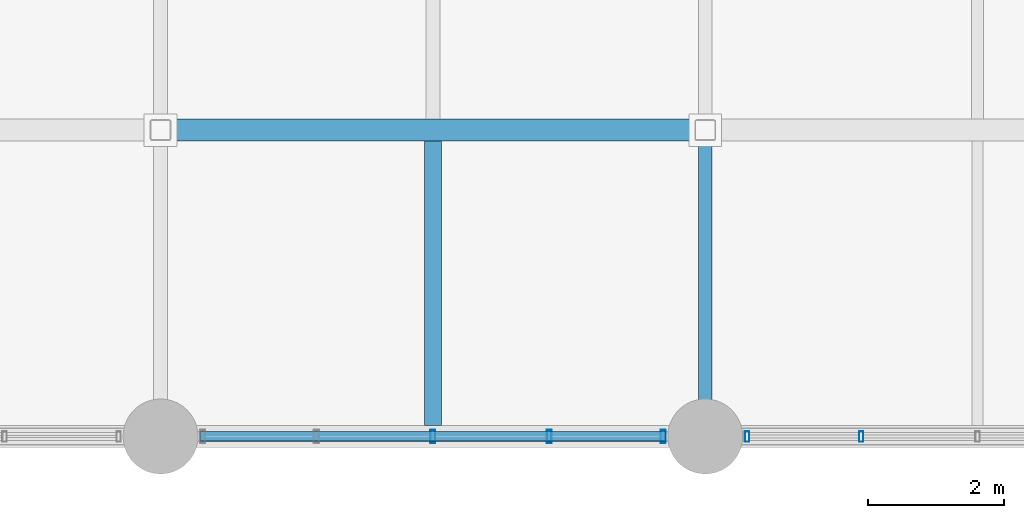
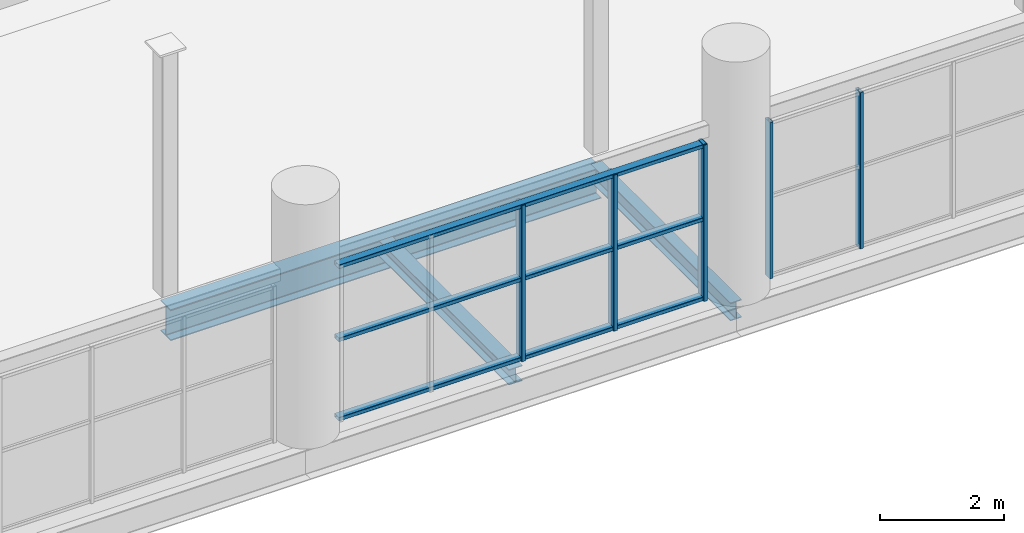
# One storey, part 17 of 114: 8 members, 3 beams, 2 elements without a shape of their own.
"""IFC4 building model written with IfcOpenShell, lengths in metres."""

from ifc_helpers import new_model, si_unit, direction, frame, origin, origin_2d, place, context, subcontext, project, spatial, hollow_rectangle, i_section, extrude, material, material_profile, profile_set, type_object, element, aggregate, save


model = new_model("IFC4")

# Units and contexts
model_context = context("Model", 3, precision=1e-05, world=origin(), true_north=direction((0.0, 1.0)))
body_context = subcontext(model_context, "Body", "Model", "MODEL_VIEW")
ifc_project = project(units=[si_unit("LENGTHUNIT", "METRE"), si_unit("AREAUNIT", "SQUARE_METRE"), si_unit("VOLUMEUNIT", "CUBIC_METRE"), si_unit("PLANEANGLEUNIT", "RADIAN"), si_unit("MASSUNIT", "GRAM", prefix="KILO")], contexts=[model_context])

# Site, building, storey
site_placement = place(None, origin())
site = spatial("IfcSite", under=ifc_project, at=site_placement, CompositionType="ELEMENT")
building_placement = place(site_placement, origin())
building = spatial("IfcBuilding", under=site, at=building_placement, Name="Verrall Gate Interchange", CompositionType="ELEMENT")
storey_placement = place(building_placement, frame((0.0, 0.0, 6.60009765625)))
storey = spatial("IfcBuildingStorey", under=building, at=storey_placement, Name="L02", CompositionType="ELEMENT", Elevation=6.60009765625)

# Beams
ifc_material_1 = material(Name="Structural Steel CSA G40.21 350WT Cat 4", Category="steel")
ifc_material_profile_1 = material_profile(ifc_material_1, i_section(OverallWidth=0.323974609375, OverallDepth=0.611083984375, WebThickness=0.0126953125, FlangeThickness=0.01904296875, FilletRadius=0.014892578125, at=origin_2d()), Name="W610x155")
ifc_profile_set_1 = profile_set([ifc_material_profile_1], Name="Structural Steel CSA G40.21 350WT Cat 4")
beam_type_1 = type_object("IfcBeamType", Name="B-08 Structural Beam W610x155", PredefinedType="BEAM", material=ifc_profile_set_1)
beam_1_placement = place(storey_placement, frame((44.0, 4.5, -0.585693359375), z_axis=(1.0, 0.0, 0.0), x_axis=(0.0, 1.0, 0.0)))
element("IfcBeam", 1, at=beam_1_placement, inside=storey, type_object=beam_type_1, Name="L02 Girder BM-L02-1458 (B-08)", PredefinedType="BEAM", context=body_context, shape_type="SweptSolid", body=[
    extrude(i_section(OverallWidth=0.323974609375, OverallDepth=0.611083984375, WebThickness=0.0126953125, FlangeThickness=0.01904296875, FilletRadius=0.014892578125, at=origin_2d()), origin(), (0.0, 0.0, 1.0), 8.0),
])
ifc_material_2 = material(Name="Structural Steel CSA G40.21 350W", Category="steel")
ifc_material_profile_2 = material_profile(ifc_material_2, i_section(OverallWidth=0.205078125, OverallDepth=0.35400390625, WebThickness=0.009521484375, FlangeThickness=0.016845703125, FilletRadius=0.012939453125, at=origin_2d()), Name="W360x79")
ifc_profile_set_2 = profile_set([ifc_material_profile_2], Name="Structural Steel CSA G40.21 350W")
beam_type_2 = type_object("IfcBeamType", Name="B-14 Structural Beam W360x79", PredefinedType="BEAM", material=ifc_profile_set_2)
beam_2_placement = place(storey_placement, frame((52.0, 0.0, -0.45703125), z_axis=(0.0, 1.0, 0.0), x_axis=(-1.0, 0.0, 0.0)))
element("IfcBeam", 2, at=beam_2_placement, inside=storey, type_object=beam_type_2, Name="L02 Girder BM-L02-1737 (B-14)", PredefinedType="BEAM", context=body_context, shape_type="SweptSolid", body=[
    extrude(i_section(OverallWidth=0.205078125, OverallDepth=0.35400390625, WebThickness=0.009521484375, FlangeThickness=0.016845703125, FilletRadius=0.012939453125, at=origin_2d()), origin(), (0.0, 0.0, 1.0), 4.5),
])

# Curtain wall, members
ifc_material_3 = material(Name="Thermally Broken Anodized Aluminium Curtain Wall Framing", Category="aluminium")
curtain_wall_type = type_object("IfcCurtainWallType", Name="CW-14 Unitized Curtain Wall 6836x3070", PredefinedType="NOTDEFINED", material=ifc_material_3)
curtain_wall_1_placement = place(storey_placement, origin())
curtain_wall_1 = element("IfcCurtainWall", 3, at=curtain_wall_1_placement, inside=storey, type_object=curtain_wall_type, Name="L02 Unitized Curtain Wall CW-L02-054", PredefinedType="NOTDEFINED")
ifc_material_4 = material(Name="Thermally Broken Anodized Aluminium Curtain Wall Framing", Category="aluminium")
ifc_material_profile_3 = material_profile(ifc_material_4, hollow_rectangle(XDim=0.06494140625, YDim=0.159912109375, WallThickness=0.00390625, InnerFilletRadius=0.00390625, OuterFilletRadius=0.008056640625, at=origin_2d()), Name="CWM160x65x4")
ifc_profile_set_3 = profile_set([ifc_material_profile_3], Name="Thermally Broken Anodized Aluminium Curtain Wall Framing")
member_type_1 = type_object("IfcMemberType", Name="CM-01 Curtain Mullion CWM160x65x4", PredefinedType="MULLION", material=ifc_profile_set_3)
member_1_placement = place(storey_placement, frame((52.614501953125, 0.0, 0.0), z_axis=(0.0, 0.0, 1.0), x_axis=(1.0, 0.0, 0.0)))
member_1 = element("IfcMember", 4, at=member_1_placement, type_object=member_type_1, Name="CW-L02-054 Mullion 1", PredefinedType="MULLION", context=body_context, shape_type="SweptSolid", body=[
    extrude(hollow_rectangle(XDim=0.06494140625, YDim=0.159912109375, WallThickness=0.00390625, InnerFilletRadius=0.00390625, OuterFilletRadius=0.008056640625, at=origin_2d()), origin(), (0.0, 0.0, 1.0), 3.06982421875),
])
member_2_placement = place(storey_placement, frame((54.291015625, 0.0, 0.0), z_axis=(0.0, 0.0, 1.0), x_axis=(1.0, 0.0, 0.0)))
member_2 = element("IfcMember", 5, at=member_2_placement, type_object=member_type_1, Name="CW-L02-054 Mullion 2", PredefinedType="MULLION", context=body_context, shape_type="SweptSolid", body=[
    extrude(hollow_rectangle(XDim=0.06494140625, YDim=0.159912109375, WallThickness=0.00390625, InnerFilletRadius=0.00390625, OuterFilletRadius=0.008056640625, at=origin_2d()), origin(), (0.0, 0.0, 1.0), 3.06982421875),
])
aggregate(curtain_wall_1, [member_1, member_2])

curtain_wall_2_placement = place(storey_placement, origin())
curtain_wall_2 = element("IfcCurtainWall", 6, at=curtain_wall_2_placement, inside=storey, type_object=curtain_wall_type, Name="L02 Unitized Curtain Wall CW-L02-053", PredefinedType="NOTDEFINED")
ifc_material_5 = material(Name="Thermally Broken Anodized Aluminium Curtain Wall Framing", Category="aluminium")
ifc_material_profile_4 = material_profile(ifc_material_5, hollow_rectangle(XDim=0.074951171875, YDim=0.199951171875, WallThickness=0.0048828125, InnerFilletRadius=0.0048828125, OuterFilletRadius=0.010009765625, at=origin_2d()), Name="CWM200x75x5")
ifc_profile_set_4 = profile_set([ifc_material_profile_4], Name="Thermally Broken Anodized Aluminium Curtain Wall Framing")
member_type_2 = type_object("IfcMemberType", Name="CM-02 Curtain Mullion CWM200x75x5", PredefinedType="MULLION", material=ifc_profile_set_4)
member_3_placement = place(storey_placement, frame((48.0, 0.0, 0.0), z_axis=(0.0, 0.0, 1.0), x_axis=(1.0, 0.0, 0.0)))
member_3 = element("IfcMember", 7, at=member_3_placement, type_object=member_type_2, Name="CW-L02-053 Mullion 3", PredefinedType="MULLION", context=body_context, shape_type="SweptSolid", body=[
    extrude(hollow_rectangle(XDim=0.074951171875, YDim=0.199951171875, WallThickness=0.0048828125, InnerFilletRadius=0.0048828125, OuterFilletRadius=0.010009765625, at=origin_2d()), origin(), (0.0, 0.0, 1.0), 3.06982421875),
])
member_4_placement = place(storey_placement, frame((49.708984375, 0.0, 0.0), z_axis=(0.0, 0.0, 1.0), x_axis=(1.0, 0.0, 0.0)))
member_4 = element("IfcMember", 8, at=member_4_placement, type_object=member_type_2, Name="CW-L02-053 Mullion 4", PredefinedType="MULLION", context=body_context, shape_type="SweptSolid", body=[
    extrude(hollow_rectangle(XDim=0.074951171875, YDim=0.199951171875, WallThickness=0.0048828125, InnerFilletRadius=0.0048828125, OuterFilletRadius=0.010009765625, at=origin_2d()), origin(), (0.0, 0.0, 1.0), 3.06982421875),
])
member_5_placement = place(storey_placement, frame((51.380615234375, 0.0, 0.0), z_axis=(0.0, 0.0, 1.0), x_axis=(1.0, 0.0, 0.0)))
member_5 = element("IfcMember", 9, at=member_5_placement, type_object=member_type_2, Name="CW-L02-053 Mullion 5", PredefinedType="MULLION", context=body_context, shape_type="SweptSolid", body=[
    extrude(hollow_rectangle(XDim=0.074951171875, YDim=0.199951171875, WallThickness=0.0048828125, InnerFilletRadius=0.0048828125, OuterFilletRadius=0.010009765625, at=origin_2d()), origin(), (0.0, 0.0, 1.0), 3.06982421875),
])
ifc_material_6 = material(Name="Thermally Broken Anodized Aluminium Curtain Wall Framing", Category="aluminium")
ifc_material_profile_5 = material_profile(ifc_material_6, hollow_rectangle(XDim=0.14990234375, YDim=0.074951171875, WallThickness=0.00439453125, InnerFilletRadius=0.00439453125, OuterFilletRadius=0.009033203125, at=origin_2d()), Name="CWT150x75x4.5")
ifc_profile_set_5 = profile_set([ifc_material_profile_5], Name="Thermally Broken Anodized Aluminium Curtain Wall Framing")
member_type_3 = type_object("IfcMemberType", Name="CT-02 Curtain Transom CWT150x75x4.5", PredefinedType="USERDEFINED", material=ifc_profile_set_5)
member_6_placement = place(storey_placement, frame((44.58203125, 0.0, 0.037353515625), z_axis=(1.0, 0.0, 0.0), x_axis=(0.0, 1.0, 0.0)))
member_6 = element("IfcMember", 10, at=member_6_placement, type_object=member_type_3, Name="CW-L02-053 Transom 1", ObjectType="TRANSOM", PredefinedType="USERDEFINED", context=body_context, shape_type="SweptSolid", body=[
    extrude(hollow_rectangle(XDim=0.14990234375, YDim=0.074951171875, WallThickness=0.00439453125, InnerFilletRadius=0.00439453125, OuterFilletRadius=0.009033203125, at=origin_2d()), origin(), (0.0, 0.0, 1.0), 6.8359375),
])
member_7_placement = place(storey_placement, frame((44.58203125, 0.0, 1.59619140625), z_axis=(1.0, 0.0, 0.0), x_axis=(0.0, 1.0, 0.0)))
member_7 = element("IfcMember", 11, at=member_7_placement, type_object=member_type_3, Name="CW-L02-053 Transom 2", ObjectType="TRANSOM", PredefinedType="USERDEFINED", context=body_context, shape_type="SweptSolid", body=[
    extrude(hollow_rectangle(XDim=0.14990234375, YDim=0.074951171875, WallThickness=0.00439453125, InnerFilletRadius=0.00439453125, OuterFilletRadius=0.009033203125, at=origin_2d()), origin(), (0.0, 0.0, 1.0), 6.8359375),
])
member_8_placement = place(storey_placement, frame((44.58203125, 0.0, 3.032470703125), z_axis=(1.0, 0.0, 0.0), x_axis=(0.0, 1.0, 0.0)))
member_8 = element("IfcMember", 12, at=member_8_placement, type_object=member_type_3, Name="CW-L02-053 Transom 3", ObjectType="TRANSOM", PredefinedType="USERDEFINED", context=body_context, shape_type="SweptSolid", body=[
    extrude(hollow_rectangle(XDim=0.14990234375, YDim=0.074951171875, WallThickness=0.00439453125, InnerFilletRadius=0.00439453125, OuterFilletRadius=0.009033203125, at=origin_2d()), origin(), (0.0, 0.0, 1.0), 6.8359375),
])
aggregate(curtain_wall_2, [member_3, member_4, member_5, member_6, member_7, member_8])

# Beam
ifc_material_7 = material(Name="Structural Steel CSA G40.21 350W", Category="steel")
ifc_material_profile_6 = material_profile(ifc_material_7, i_section(OverallWidth=0.25390625, OverallDepth=0.305908203125, WebThickness=0.0087890625, FlangeThickness=0.0146484375, FilletRadius=0.012939453125, at=origin_2d()), Name="W310x79")
ifc_profile_set_6 = profile_set([ifc_material_profile_6], Name="Structural Steel CSA G40.21 350W")
beam_type_3 = type_object("IfcBeamType", Name="J-03 Floor Joist W310x79", PredefinedType="JOIST", material=ifc_profile_set_6)
beam_3_placement = place(storey_placement, frame((48.0, 0.162109375, -0.43310546875), z_axis=(0.0, 1.0, 0.0), x_axis=(-1.0, 0.0, 0.0)))
element("IfcBeam", 13, at=beam_3_placement, inside=storey, type_object=beam_type_3, Name="L02 Secondary Floor Joist JST-L02-1845", PredefinedType="JOIST", context=body_context, shape_type="SweptSolid", body=[
    extrude(i_section(OverallWidth=0.25390625, OverallDepth=0.305908203125, WebThickness=0.0087890625, FlangeThickness=0.0146484375, FilletRadius=0.012939453125, at=origin_2d()), origin(), (0.0, 0.0, 1.0), 4.17578125),
])

save(model, "model.ifc")
